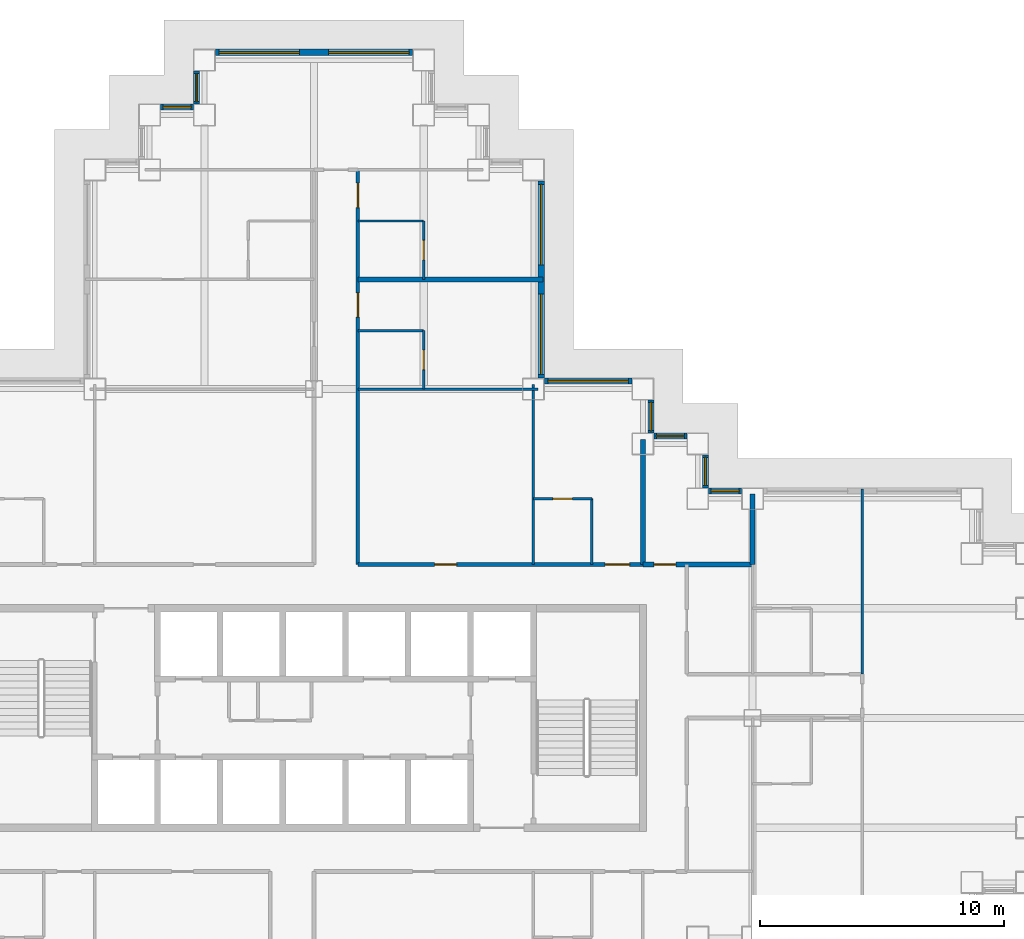
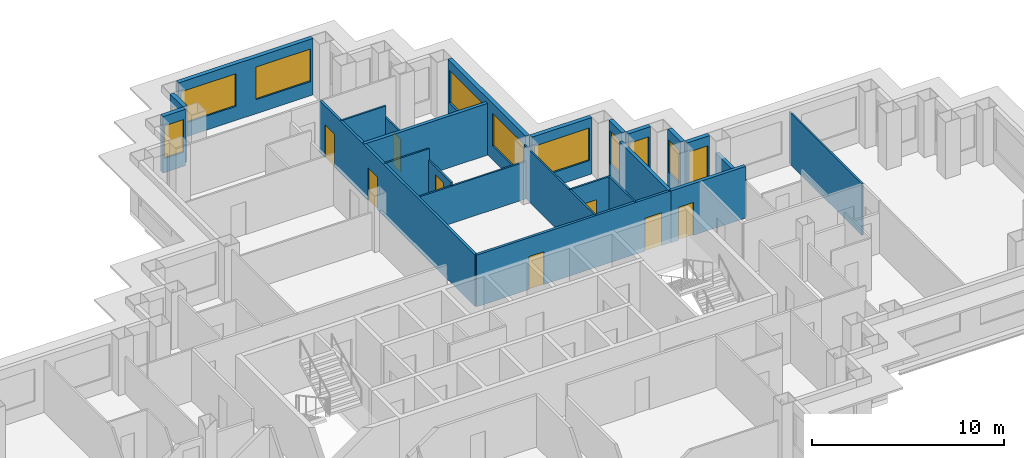
# One storey, part 8 of 14: 24 walls, 11 windows, 8 doors, 19 openings.
"""IFC4 building model written with IfcOpenShell, lengths in metres."""

from ifc_helpers import new_model, si_unit, direction, frame, frame_2d, origin, place, context, subcontext, project, spatial, rectangle, extrude, material, layer, layer_set, type_object, element, fill, save


model = new_model("IFC4")

# Units and contexts
model_context = context("Model", 3, precision=1e-05, world=origin(), true_north=direction((0.0, 1.0)))
body_context = subcontext(model_context, "Body", "Model", "MODEL_VIEW")
ifc_project = project(units=[si_unit("LENGTHUNIT", "METRE"), si_unit("AREAUNIT", "SQUARE_METRE"), si_unit("VOLUMEUNIT", "CUBIC_METRE"), si_unit("PLANEANGLEUNIT", "RADIAN"), si_unit("MASSUNIT", "GRAM", prefix="KILO")], contexts=[model_context])

# Site, building, storey
site_placement = place(None, origin())
site = spatial("IfcSite", under=ifc_project, at=site_placement, CompositionType="ELEMENT")
building_placement = place(site_placement, origin())
building = spatial("IfcBuilding", under=site, at=building_placement, Name="Caravel Reach Hotel and Residences", CompositionType="ELEMENT")
storey_placement = place(building_placement, frame((0.0, 0.0, 118.800048828125)))
storey = spatial("IfcBuildingStorey", under=building, at=storey_placement, Name="L29", CompositionType="ELEMENT", Elevation=118.800048828125)

# Wall, opening, door
ifc_material_1 = material(Name="Gypsum board on steel stud", Category="steel")
ifc_layer_1 = layer(ifc_material_1, 0.10009765625)
ifc_layer_set_1 = layer_set([ifc_layer_1], Name="Bathroom pod wall 100 mm")
wall_type_1 = type_object("IfcWallType", Name="Bathroom pod wall 100 mm", PredefinedType="PARTITIONING", material=ifc_layer_set_1)
wall_1_placement = place(storey_placement, frame((40.5, 36.0, 0.0), z_axis=(0.0, 0.0, 1.0), x_axis=(1.0, 0.0, 0.0)))
wall_1 = element("IfcWall", 1, at=wall_1_placement, inside=storey, type_object=wall_type_1, Name="L29 wall w076", PredefinedType="PARTITIONING", context=body_context, shape_type="SweptSolid", body=[
    extrude(rectangle(XDim=2.39990234375, YDim=0.10009765625, at=frame_2d((1.199951171875, 0.0))), origin(), (0.0, 0.0, 1.0), 3.300048828125),
])
opening_1_placement = place(wall_1_placement, frame((0.800048828125, 0.0, 0.0)))
opening_1 = element("IfcOpeningElement", 2, at=opening_1_placement, cuts=wall_1, Name="Opening D29-043", PredefinedType="OPENING", context=body_context, shape_type="SweptSolid", body=[
    extrude(rectangle(XDim=0.800048828125, YDim=2.10009765625, at=frame_2d((0.39990234375, 1.050048828125))), frame((0.0, 0.06005859375, 0.0), z_axis=(0.0, -1.0, 0.0), x_axis=(1.0, 0.0, 0.0)), (0.0, 0.0, 1.0), 0.1201171875),
])
ifc_material_2 = material(Name="Timber and steel door leaf", Category="steel")
door_type_1 = type_object("IfcDoorType", Name="Bathroom door 800 x 2100", OperationType="SINGLE_SWING_LEFT", PredefinedType="DOOR", material=ifc_material_2)
door_1_placement = place(opening_1_placement, origin())
door_1 = element("IfcDoor", 3, at=door_1_placement, inside=storey, type_object=door_type_1, Name="door D29-043", OperationType="SINGLE_SWING_LEFT", OverallHeight=2.10009765625, OverallWidth=0.800048828125, PredefinedType="DOOR", context=body_context, shape_type="SweptSolid", body=[
    extrude(rectangle(XDim=0.800048828125, YDim=2.10009765625, at=frame_2d((0.39990234375, 1.050048828125))), frame((0.0, 0.02490234375, 0.0), z_axis=(0.0, -1.0, 0.0), x_axis=(1.0, 0.0, 0.0)), (0.0, 0.0, 1.0), 0.050048828125),
])
fill(opening_1, door_1)

# Walls
for number, where, z_axis, x_axis, name in (
    (4, (33.300048828125, 42.89990234375, 0.0), (0.0, 0.0, 1.0), (1.0, 0.0, 0.0), "L29 wall w077"),
    (5, (33.300048828125, 47.39990234375, 0.0), (0.0, 0.0, 1.0), (1.0, 0.0, 0.0), "L29 wall w078"),
):
    element("IfcWall", number, at=place(storey_placement, frame(where, z_axis=z_axis, x_axis=x_axis)), inside=storey, type_object=wall_type_1, Name=name, PredefinedType="PARTITIONING", context=body_context, shape_type="SweptSolid", body=[
        extrude(rectangle(XDim=2.699951171875, YDim=0.10009765625, at=frame_2d((1.35009765625, 0.0))), origin(), (0.0, 0.0, 1.0), 3.300048828125),
    ])

# Wall, opening, door
wall_2_placement = place(storey_placement, frame((36.0, 40.5, 0.0), z_axis=(0.0, 0.0, 1.0), x_axis=(0.0, 1.0, 0.0)))
wall_2 = element("IfcWall", 6, at=wall_2_placement, inside=storey, type_object=wall_type_1, Name="L29 wall w088", PredefinedType="PARTITIONING", context=body_context, shape_type="SweptSolid", body=[
    extrude(rectangle(XDim=2.39990234375, YDim=0.10009765625, at=frame_2d((1.199951171875, 0.0))), origin(), (0.0, 0.0, 1.0), 2.579833984375),
])
opening_2_placement = place(wall_2_placement, frame((0.800048828125, 0.0, 0.0)))
opening_2 = element("IfcOpeningElement", 7, at=opening_2_placement, cuts=wall_2, Name="Opening D29-028", PredefinedType="OPENING", context=body_context, shape_type="SweptSolid", body=[
    extrude(rectangle(XDim=0.800048828125, YDim=2.10009765625, at=frame_2d((0.39990234375, 1.050048828125))), frame((0.0, 0.06005859375, 0.0), z_axis=(0.0, -1.0, 0.0), x_axis=(1.0, 0.0, 0.0)), (0.0, 0.0, 1.0), 0.1201171875),
])
door_2_placement = place(opening_2_placement, origin())
door_2 = element("IfcDoor", 8, at=door_2_placement, inside=storey, type_object=door_type_1, Name="door D29-028", OperationType="SINGLE_SWING_LEFT", OverallHeight=2.10009765625, OverallWidth=0.800048828125, PredefinedType="DOOR", context=body_context, shape_type="SweptSolid", body=[
    extrude(rectangle(XDim=0.800048828125, YDim=2.10009765625, at=frame_2d((0.39990234375, 1.050048828125))), frame((0.0, 0.02490234375, 0.0), z_axis=(0.0, -1.0, 0.0), x_axis=(1.0, 0.0, 0.0)), (0.0, 0.0, 1.0), 0.050048828125),
])
fill(opening_2, door_2)

wall_3_placement = place(storey_placement, frame((36.0, 45.0, 0.0), z_axis=(0.0, 0.0, 1.0), x_axis=(0.0, 1.0, 0.0)))
wall_3 = element("IfcWall", 9, at=wall_3_placement, inside=storey, type_object=wall_type_1, Name="L29 wall w089", PredefinedType="PARTITIONING", context=body_context, shape_type="SweptSolid", body=[
    extrude(rectangle(XDim=2.39990234375, YDim=0.10009765625, at=frame_2d((1.199951171875, 0.0))), origin(), (0.0, 0.0, 1.0), 2.579833984375),
])
opening_3_placement = place(wall_3_placement, frame((0.800048828125, 0.0, 0.0)))
opening_3 = element("IfcOpeningElement", 10, at=opening_3_placement, cuts=wall_3, Name="Opening D29-030", PredefinedType="OPENING", context=body_context, shape_type="SweptSolid", body=[
    extrude(rectangle(XDim=0.800048828125, YDim=2.10009765625, at=frame_2d((0.39990234375, 1.050048828125))), frame((0.0, 0.06005859375, 0.0), z_axis=(0.0, -1.0, 0.0), x_axis=(1.0, 0.0, 0.0)), (0.0, 0.0, 1.0), 0.1201171875),
])
door_3_placement = place(opening_3_placement, origin())
door_3 = element("IfcDoor", 11, at=door_3_placement, inside=storey, type_object=door_type_1, Name="door D29-030", OperationType="SINGLE_SWING_RIGHT", OverallHeight=2.10009765625, OverallWidth=0.800048828125, PredefinedType="DOOR", context=body_context, shape_type="SweptSolid", body=[
    extrude(rectangle(XDim=0.800048828125, YDim=2.10009765625, at=frame_2d((0.39990234375, 1.050048828125))), frame((0.0, 0.02490234375, 0.0), z_axis=(0.0, -1.0, 0.0), x_axis=(1.0, 0.0, 0.0)), (0.0, 0.0, 1.0), 0.050048828125),
])
fill(opening_3, door_3)

# Wall
wall_4_placement = place(storey_placement, frame((42.89990234375, 33.300048828125, 0.0), z_axis=(0.0, 0.0, 1.0), x_axis=(0.0, 1.0, 0.0)))
element("IfcWall", 12, at=wall_4_placement, inside=storey, type_object=wall_type_1, Name="L29 wall w090", PredefinedType="PARTITIONING", context=body_context, shape_type="SweptSolid", body=[
    extrude(rectangle(XDim=2.699951171875, YDim=0.10009765625, at=frame_2d((1.35009765625, 0.0))), origin(), (0.0, 0.0, 1.0), 3.300048828125),
])

# Wall, opening, door
ifc_material_3 = material(Name="Autoclaved aerated block wall")
ifc_layer_2 = layer(ifc_material_3, 0.199951171875)
ifc_layer_set_2 = layer_set([ifc_layer_2], Name="Compartment wall 200 mm EI 120")
wall_type_2 = type_object("IfcWallType", Name="Compartment wall 200 mm EI 120", PredefinedType="PARTITIONING", material=ifc_layer_set_2)
wall_5_placement = place(storey_placement, frame((45.0, 33.300048828125, 0.0), z_axis=(0.0, 0.0, 1.0), x_axis=(1.0, 0.0, 0.0)))
wall_5 = element("IfcWall", 13, at=wall_5_placement, inside=storey, type_object=wall_type_2, Name="L29 wall w094", PredefinedType="PARTITIONING", context=body_context, shape_type="SweptSolid", body=[
    extrude(rectangle(XDim=4.5, YDim=0.199951171875, at=frame_2d((2.25, 0.0))), origin(), (0.0, 0.0, 1.0), 3.300048828125),
])
opening_4_placement = place(wall_5_placement, frame((0.449951171875, 0.0, 0.0)))
opening_4 = element("IfcOpeningElement", 14, at=opening_4_placement, cuts=wall_5, Name="Opening D29-044", PredefinedType="OPENING", context=body_context, shape_type="SweptSolid", body=[
    extrude(rectangle(XDim=0.89990234375, YDim=2.10009765625, at=frame_2d((0.449951171875, 1.050048828125))), frame((0.0, 0.10986328125, 0.0), z_axis=(0.0, -1.0, 0.0), x_axis=(1.0, 0.0, 0.0)), (0.0, 0.0, 1.0), 0.219970703125),
])
ifc_material_4 = material(Name="Steel fire door leaf", Category="steel")
door_type_2 = type_object("IfcDoorType", Name="Riser door 900 x 2100 EI 60", OperationType="SINGLE_SWING_LEFT", PredefinedType="DOOR", material=ifc_material_4)
door_4_placement = place(opening_4_placement, origin())
door_4 = element("IfcDoor", 15, at=door_4_placement, inside=storey, type_object=door_type_2, Name="door D29-044", OperationType="SINGLE_SWING_RIGHT", OverallHeight=2.10009765625, OverallWidth=0.89990234375, PredefinedType="DOOR", context=body_context, shape_type="SweptSolid", body=[
    extrude(rectangle(XDim=0.89990234375, YDim=2.10009765625, at=frame_2d((0.449951171875, 1.050048828125))), frame((0.0, 0.02490234375, 0.0), z_axis=(0.0, -1.0, 0.0), x_axis=(1.0, 0.0, 0.0)), (0.0, 0.0, 1.0), 0.050048828125),
])
fill(opening_4, door_4)

# Walls
wall_6_placement = place(storey_placement, frame((45.0, 33.300048828125, 0.0), z_axis=(0.0, 0.0, 1.0), x_axis=(0.0, 1.0, 0.0)))
element("IfcWall", 16, at=wall_6_placement, inside=storey, type_object=wall_type_2, Name="L29 wall w096", PredefinedType="PARTITIONING", context=body_context, shape_type="SweptSolid", body=[
    extrude(rectangle(XDim=5.139892578125, YDim=0.199951171875, at=frame_2d((2.56982421875, 0.0))), origin(), (0.0, 0.0, 1.0), 3.300048828125),
])
wall_7_placement = place(storey_placement, frame((49.5, 33.300048828125, 0.0), z_axis=(0.0, 0.0, 1.0), x_axis=(0.0, 1.0, 0.0)))
element("IfcWall", 17, at=wall_7_placement, inside=storey, type_object=wall_type_2, Name="L29 wall w097", PredefinedType="PARTITIONING", context=body_context, shape_type="SweptSolid", body=[
    extrude(rectangle(XDim=2.889892578125, YDim=0.199951171875, at=frame_2d((1.44482421875, 0.0))), origin(), (0.0, 0.0, 1.0), 2.3798828125),
])

# Wall, openings, doors
ifc_material_5 = material(Name="Gypsum board on steel stud, fire-rated", Category="steel")
ifc_layer_3 = layer(ifc_material_5, 0.14990234375)
ifc_layer_set_3 = layer_set([ifc_layer_3], Name="Corridor wall 150 mm EI 60")
wall_type_3 = type_object("IfcWallType", Name="Corridor wall 150 mm EI 60", PredefinedType="PARTITIONING", material=ifc_layer_set_3)
wall_8_placement = place(storey_placement, frame((33.300048828125, 33.300048828125, 0.0), z_axis=(0.0, 0.0, 1.0), x_axis=(1.0, 0.0, 0.0)))
wall_8 = element("IfcWall", 18, at=wall_8_placement, inside=storey, type_object=wall_type_3, Name="L29 wall w017", PredefinedType="PARTITIONING", context=body_context, shape_type="SweptSolid", body=[
    extrude(rectangle(XDim=11.699951171875, YDim=0.14990234375, at=frame_2d((5.85009765625, 0.0))), origin(), (0.0, 0.0, 1.0), 3.300048828125),
])
opening_5_placement = place(wall_8_placement, frame((10.14990234375, 0.0, 0.0)))
opening_5 = element("IfcOpeningElement", 19, at=opening_5_placement, cuts=wall_8, Name="Opening D29-042", PredefinedType="OPENING", context=body_context, shape_type="SweptSolid", body=[
    extrude(rectangle(XDim=1.0, YDim=2.10009765625, at=frame_2d((0.5, 1.050048828125))), frame((0.0, 0.0849609375, 0.0), z_axis=(0.0, -1.0, 0.0), x_axis=(1.0, 0.0, 0.0)), (0.0, 0.0, 1.0), 0.169921875),
])
opening_6_placement = place(wall_8_placement, frame((3.14990234375, 0.0, 0.0)))
opening_6 = element("IfcOpeningElement", 20, at=opening_6_placement, cuts=wall_8, Name="Opening D29-051", PredefinedType="OPENING", context=body_context, shape_type="SweptSolid", body=[
    extrude(rectangle(XDim=0.89990234375, YDim=2.10009765625, at=frame_2d((0.449951171875, 1.050048828125))), frame((0.0, 0.0849609375, 0.0), z_axis=(0.0, -1.0, 0.0), x_axis=(1.0, 0.0, 0.0)), (0.0, 0.0, 1.0), 0.169921875),
])
ifc_material_6 = material(Name="Timber and steel door leaf", Category="steel")
door_type_3 = type_object("IfcDoorType", Name="Door 900 x 2100 timber", OperationType="SINGLE_SWING_LEFT", PredefinedType="DOOR", material=ifc_material_6)
door_5_placement = place(opening_6_placement, origin())
door_5 = element("IfcDoor", 21, at=door_5_placement, inside=storey, type_object=door_type_3, Name="door D29-051", OperationType="SINGLE_SWING_RIGHT", OverallHeight=2.10009765625, OverallWidth=0.89990234375, PredefinedType="DOOR", context=body_context, shape_type="SweptSolid", body=[
    extrude(rectangle(XDim=0.89990234375, YDim=2.10009765625, at=frame_2d((0.449951171875, 1.050048828125))), frame((0.0, 0.02490234375, 0.0), z_axis=(0.0, -1.0, 0.0), x_axis=(1.0, 0.0, 0.0)), (0.0, 0.0, 1.0), 0.050048828125),
])
fill(opening_6, door_5)
ifc_material_7 = material(Name="Steel fire door leaf", Category="steel")
door_type_4 = type_object("IfcDoorType", Name="Guest room door 1000 x 2100 EI 30", OperationType="SINGLE_SWING_LEFT", PredefinedType="DOOR", material=ifc_material_7)
door_6_placement = place(opening_5_placement, origin())
door_6 = element("IfcDoor", 22, at=door_6_placement, inside=storey, type_object=door_type_4, Name="door D29-042", OperationType="SINGLE_SWING_RIGHT", OverallHeight=2.10009765625, OverallWidth=1.0, PredefinedType="DOOR", context=body_context, shape_type="SweptSolid", body=[
    extrude(rectangle(XDim=1.0, YDim=2.10009765625, at=frame_2d((0.5, 1.050048828125))), frame((0.0, 0.02490234375, 0.0), z_axis=(0.0, -1.0, 0.0), x_axis=(1.0, 0.0, 0.0)), (0.0, 0.0, 1.0), 0.050048828125),
])
fill(opening_5, door_6)

wall_9_placement = place(storey_placement, frame((33.300048828125, 33.300048828125, 0.0), z_axis=(0.0, 0.0, 1.0), x_axis=(0.0, 1.0, 0.0)))
wall_9 = element("IfcWall", 23, at=wall_9_placement, inside=storey, type_object=wall_type_3, Name="L29 wall w032", PredefinedType="PARTITIONING", context=body_context, shape_type="SweptSolid", body=[
    extrude(rectangle(XDim=16.199951171875, YDim=0.14990234375, at=frame_2d((8.10009765625, 0.0))), origin(), (0.0, 0.0, 1.0), 3.300048828125),
])
opening_7_placement = place(wall_9_placement, frame((10.14990234375, 0.0, 0.0)))
opening_7 = element("IfcOpeningElement", 24, at=opening_7_placement, cuts=wall_9, Name="Opening D29-027", PredefinedType="OPENING", context=body_context, shape_type="SweptSolid", body=[
    extrude(rectangle(XDim=1.0, YDim=2.10009765625, at=frame_2d((0.5, 1.050048828125))), frame((0.0, 0.0849609375, 0.0), z_axis=(0.0, -1.0, 0.0), x_axis=(1.0, 0.0, 0.0)), (0.0, 0.0, 1.0), 0.169921875),
])
opening_8_placement = place(wall_9_placement, frame((14.64990234375, 0.0, 0.0)))
opening_8 = element("IfcOpeningElement", 25, at=opening_8_placement, cuts=wall_9, Name="Opening D29-029", PredefinedType="OPENING", context=body_context, shape_type="SweptSolid", body=[
    extrude(rectangle(XDim=1.0, YDim=2.10009765625, at=frame_2d((0.5, 1.050048828125))), frame((0.0, 0.0849609375, 0.0), z_axis=(0.0, -1.0, 0.0), x_axis=(1.0, 0.0, 0.0)), (0.0, 0.0, 1.0), 0.169921875),
])
door_7_placement = place(opening_7_placement, origin())
door_7 = element("IfcDoor", 26, at=door_7_placement, inside=storey, type_object=door_type_4, Name="door D29-027", OperationType="SINGLE_SWING_RIGHT", OverallHeight=2.10009765625, OverallWidth=1.0, PredefinedType="DOOR", context=body_context, shape_type="SweptSolid", body=[
    extrude(rectangle(XDim=1.0, YDim=2.10009765625, at=frame_2d((0.5, 1.050048828125))), frame((0.0, 0.02490234375, 0.0), z_axis=(0.0, -1.0, 0.0), x_axis=(1.0, 0.0, 0.0)), (0.0, 0.0, 1.0), 0.050048828125),
])
fill(opening_7, door_7)
door_8_placement = place(opening_8_placement, origin())
door_8 = element("IfcDoor", 27, at=door_8_placement, inside=storey, type_object=door_type_4, Name="door D29-029", OperationType="SINGLE_SWING_RIGHT", OverallHeight=2.10009765625, OverallWidth=1.0, PredefinedType="DOOR", context=body_context, shape_type="SweptSolid", body=[
    extrude(rectangle(XDim=1.0, YDim=2.10009765625, at=frame_2d((0.5, 1.050048828125))), frame((0.0, 0.02490234375, 0.0), z_axis=(0.0, -1.0, 0.0), x_axis=(1.0, 0.0, 0.0)), (0.0, 0.0, 1.0), 0.050048828125),
])
fill(opening_8, door_8)

# Wall, opening, window
ifc_material_8 = material(Name="Insulated rainscreen wall, aluminium cladding", Category="aluminium")
ifc_layer_4 = layer(ifc_material_8, 0.25)
ifc_layer_set_4 = layer_set([ifc_layer_4], Name="EW1 Tower rainscreen wall")
wall_type_4 = type_object("IfcWallType", Name="EW1 Tower rainscreen wall", PredefinedType="SOLIDWALL", material=ifc_layer_set_4)
wall_10_placement = place(storey_placement, frame((49.050048828125, 36.324951171875, 0.0), z_axis=(0.0, 0.0, 1.0), x_axis=(-1.0, 0.0, 0.0)))
wall_10 = element("IfcWall", 28, at=wall_10_placement, inside=storey, type_object=wall_type_4, Name="External wall L29 N25.2", PredefinedType="SOLIDWALL", context=body_context, shape_type="SweptSolid", body=[
    extrude(rectangle(XDim=1.35009765625, YDim=0.25, at=frame_2d((0.675048828125, 0.0))), origin(), (0.0, 0.0, 1.0), 3.599853515625),
])
opening_9_placement = place(wall_10_placement, frame((0.10009765625, 0.0, 0.89990234375)))
opening_9 = element("IfcOpeningElement", 29, at=opening_9_placement, cuts=wall_10, Name="Opening WN8", PredefinedType="OPENING", context=body_context, shape_type="SweptSolid", body=[
    extrude(rectangle(XDim=1.14990234375, YDim=2.080078125, at=frame_2d((0.574951171875, 1.0400390625))), frame((0.0, 0.135009765625, 0.0), z_axis=(0.0, -1.0, 0.0), x_axis=(1.0, 0.0, 0.0)), (0.0, 0.0, 1.0), 0.27001953125),
])
ifc_material_9 = material(Name="Dark low-e glazing in black aluminium frame", Category="aluminium")
window_type_1 = type_object("IfcWindowType", Name="Hotel suite corner window 1150 x 2080", PartitioningType="SINGLE_PANEL", PredefinedType="WINDOW", material=ifc_material_9)
window_1_placement = place(opening_9_placement, origin())
window_1 = element("IfcWindow", 30, at=window_1_placement, inside=storey, type_object=window_type_1, Name="Window L29 N25.2.1", OverallHeight=2.080078125, OverallWidth=1.14990234375, PartitioningType="SINGLE_PANEL", PredefinedType="WINDOW", context=body_context, shape_type="SweptSolid", body=[
    extrude(rectangle(XDim=1.14990234375, YDim=2.080078125, at=frame_2d((0.574951171875, 1.0400390625))), frame((0.0, 0.030029296875, 0.0), z_axis=(0.0, -1.0, 0.0), x_axis=(1.0, 0.0, 0.0)), (0.0, 0.0, 1.0), 0.06005859375),
])
fill(opening_9, window_1)

wall_11_placement = place(storey_placement, frame((47.574951171875, 36.449951171875, 0.0), z_axis=(0.0, 0.0, 1.0), x_axis=(0.0, 1.0, 0.0)))
wall_11 = element("IfcWall", 31, at=wall_11_placement, inside=storey, type_object=wall_type_4, Name="External wall L29 E26.1", PredefinedType="SOLIDWALL", context=body_context, shape_type="SweptSolid", body=[
    extrude(rectangle(XDim=1.35009765625, YDim=0.25, at=frame_2d((0.675048828125, 0.0))), origin(), (0.0, 0.0, 1.0), 3.599853515625),
])
opening_10_placement = place(wall_11_placement, frame((0.10009765625, 0.0, 0.89990234375)))
opening_10 = element("IfcOpeningElement", 32, at=opening_10_placement, cuts=wall_11, Name="Opening WN8", PredefinedType="OPENING", context=body_context, shape_type="SweptSolid", body=[
    extrude(rectangle(XDim=1.14990234375, YDim=2.080078125, at=frame_2d((0.574951171875, 1.0400390625))), frame((0.0, 0.135009765625, 0.0), z_axis=(0.0, -1.0, 0.0), x_axis=(1.0, 0.0, 0.0)), (0.0, 0.0, 1.0), 0.27001953125),
])
window_2_placement = place(opening_10_placement, origin())
window_2 = element("IfcWindow", 33, at=window_2_placement, inside=storey, type_object=window_type_1, Name="Window L29 E26.1.1", OverallHeight=2.080078125, OverallWidth=1.14990234375, PartitioningType="SINGLE_PANEL", PredefinedType="WINDOW", context=body_context, shape_type="SweptSolid", body=[
    extrude(rectangle(XDim=1.14990234375, YDim=2.080078125, at=frame_2d((0.574951171875, 1.0400390625))), frame((0.0, 0.030029296875, 0.0), z_axis=(0.0, -1.0, 0.0), x_axis=(1.0, 0.0, 0.0)), (0.0, 0.0, 1.0), 0.06005859375),
])
fill(opening_10, window_2)

wall_12_placement = place(storey_placement, frame((46.800048828125, 38.574951171875, 0.0), z_axis=(0.0, 0.0, 1.0), x_axis=(-1.0, 0.0, 0.0)))
wall_12 = element("IfcWall", 34, at=wall_12_placement, inside=storey, type_object=wall_type_4, Name="External wall L29 N27.1", PredefinedType="SOLIDWALL", context=body_context, shape_type="SweptSolid", body=[
    extrude(rectangle(XDim=1.35009765625, YDim=0.25, at=frame_2d((0.675048828125, 0.0))), origin(), (0.0, 0.0, 1.0), 3.599853515625),
])
opening_11_placement = place(wall_12_placement, frame((0.10009765625, 0.0, 0.89990234375)))
opening_11 = element("IfcOpeningElement", 35, at=opening_11_placement, cuts=wall_12, Name="Opening WN8", PredefinedType="OPENING", context=body_context, shape_type="SweptSolid", body=[
    extrude(rectangle(XDim=1.14990234375, YDim=2.080078125, at=frame_2d((0.574951171875, 1.0400390625))), frame((0.0, 0.135009765625, 0.0), z_axis=(0.0, -1.0, 0.0), x_axis=(1.0, 0.0, 0.0)), (0.0, 0.0, 1.0), 0.27001953125),
])
window_3_placement = place(opening_11_placement, origin())
window_3 = element("IfcWindow", 36, at=window_3_placement, inside=storey, type_object=window_type_1, Name="Window L29 N27.1.1", OverallHeight=2.080078125, OverallWidth=1.14990234375, PartitioningType="SINGLE_PANEL", PredefinedType="WINDOW", context=body_context, shape_type="SweptSolid", body=[
    extrude(rectangle(XDim=1.14990234375, YDim=2.080078125, at=frame_2d((0.574951171875, 1.0400390625))), frame((0.0, 0.030029296875, 0.0), z_axis=(0.0, -1.0, 0.0), x_axis=(1.0, 0.0, 0.0)), (0.0, 0.0, 1.0), 0.06005859375),
])
fill(opening_11, window_3)

wall_13_placement = place(storey_placement, frame((45.324951171875, 38.699951171875, 0.0), z_axis=(0.0, 0.0, 1.0), x_axis=(0.0, 1.0, 0.0)))
wall_13 = element("IfcWall", 37, at=wall_13_placement, inside=storey, type_object=wall_type_4, Name="External wall L29 E28.1", PredefinedType="SOLIDWALL", context=body_context, shape_type="SweptSolid", body=[
    extrude(rectangle(XDim=1.35009765625, YDim=0.25, at=frame_2d((0.675048828125, 0.0))), origin(), (0.0, 0.0, 1.0), 3.599853515625),
])
opening_12_placement = place(wall_13_placement, frame((0.10009765625, 0.0, 0.89990234375)))
opening_12 = element("IfcOpeningElement", 38, at=opening_12_placement, cuts=wall_13, Name="Opening WN8", PredefinedType="OPENING", context=body_context, shape_type="SweptSolid", body=[
    extrude(rectangle(XDim=1.14990234375, YDim=2.080078125, at=frame_2d((0.574951171875, 1.0400390625))), frame((0.0, 0.135009765625, 0.0), z_axis=(0.0, -1.0, 0.0), x_axis=(1.0, 0.0, 0.0)), (0.0, 0.0, 1.0), 0.27001953125),
])
window_4_placement = place(opening_12_placement, origin())
window_4 = element("IfcWindow", 39, at=window_4_placement, inside=storey, type_object=window_type_1, Name="Window L29 E28.1.1", OverallHeight=2.080078125, OverallWidth=1.14990234375, PartitioningType="SINGLE_PANEL", PredefinedType="WINDOW", context=body_context, shape_type="SweptSolid", body=[
    extrude(rectangle(XDim=1.14990234375, YDim=2.080078125, at=frame_2d((0.574951171875, 1.0400390625))), frame((0.0, 0.030029296875, 0.0), z_axis=(0.0, -1.0, 0.0), x_axis=(1.0, 0.0, 0.0)), (0.0, 0.0, 1.0), 0.06005859375),
])
fill(opening_12, window_4)

wall_14_placement = place(storey_placement, frame((44.550048828125, 40.824951171875, 0.0), z_axis=(0.0, 0.0, 1.0), x_axis=(-1.0, 0.0, 0.0)))
wall_14 = element("IfcWall", 40, at=wall_14_placement, inside=storey, type_object=wall_type_4, Name="External wall L29 N29.1", PredefinedType="SOLIDWALL", context=body_context, shape_type="SweptSolid", body=[
    extrude(rectangle(XDim=3.60009765625, YDim=0.25, at=frame_2d((1.800048828125, 0.0))), origin(), (0.0, 0.0, 1.0), 3.599853515625),
])
opening_13_placement = place(wall_14_placement, frame((0.14990234375, 0.0, 0.89990234375)))
opening_13 = element("IfcOpeningElement", 41, at=opening_13_placement, cuts=wall_14, Name="Opening WN4", PredefinedType="OPENING", context=body_context, shape_type="SweptSolid", body=[
    extrude(rectangle(XDim=3.300048828125, YDim=2.080078125, at=frame_2d((1.64990234375, 1.0400390625))), frame((0.0, 0.135009765625, 0.0), z_axis=(0.0, -1.0, 0.0), x_axis=(1.0, 0.0, 0.0)), (0.0, 0.0, 1.0), 0.27001953125),
])
ifc_material_10 = material(Name="Dark low-e glazing in black aluminium frame", Category="aluminium")
window_type_2 = type_object("IfcWindowType", Name="Hotel guest room window 3300 x 2080", PartitioningType="SINGLE_PANEL", PredefinedType="WINDOW", material=ifc_material_10)
window_5_placement = place(opening_13_placement, origin())
window_5 = element("IfcWindow", 42, at=window_5_placement, inside=storey, type_object=window_type_2, Name="Window L29 N29.1.1", OverallHeight=2.080078125, OverallWidth=3.300048828125, PartitioningType="SINGLE_PANEL", PredefinedType="WINDOW", context=body_context, shape_type="SweptSolid", body=[
    extrude(rectangle(XDim=3.300048828125, YDim=2.080078125, at=frame_2d((1.64990234375, 1.0400390625))), frame((0.0, 0.030029296875, 0.0), z_axis=(0.0, -1.0, 0.0), x_axis=(1.0, 0.0, 0.0)), (0.0, 0.0, 1.0), 0.06005859375),
])
fill(opening_13, window_5)

# Wall, openings, windows
wall_15_placement = place(storey_placement, frame((40.824951171875, 40.949951171875, 0.0), z_axis=(0.0, 0.0, 1.0), x_axis=(0.0, 1.0, 0.0)))
wall_15 = element("IfcWall", 43, at=wall_15_placement, inside=storey, type_object=wall_type_4, Name="External wall L29 E30.1", PredefinedType="SOLIDWALL", context=body_context, shape_type="SweptSolid", body=[
    extrude(rectangle(XDim=8.10009765625, YDim=0.25, at=frame_2d((4.050048828125, 0.0))), origin(), (0.0, 0.0, 1.0), 3.599853515625),
])
opening_14_placement = place(wall_15_placement, frame((0.14990234375, 0.0, 0.89990234375)))
opening_14 = element("IfcOpeningElement", 44, at=opening_14_placement, cuts=wall_15, Name="Opening WN4", PredefinedType="OPENING", context=body_context, shape_type="SweptSolid", body=[
    extrude(rectangle(XDim=3.300048828125, YDim=2.080078125, at=frame_2d((1.64990234375, 1.0400390625))), frame((0.0, 0.135009765625, 0.0), z_axis=(0.0, -1.0, 0.0), x_axis=(1.0, 0.0, 0.0)), (0.0, 0.0, 1.0), 0.27001953125),
])
opening_15_placement = place(wall_15_placement, frame((4.64990234375, 0.0, 0.89990234375)))
opening_15 = element("IfcOpeningElement", 45, at=opening_15_placement, cuts=wall_15, Name="Opening WN4", PredefinedType="OPENING", context=body_context, shape_type="SweptSolid", body=[
    extrude(rectangle(XDim=3.300048828125, YDim=2.080078125, at=frame_2d((1.64990234375, 1.0400390625))), frame((0.0, 0.135009765625, 0.0), z_axis=(0.0, -1.0, 0.0), x_axis=(1.0, 0.0, 0.0)), (0.0, 0.0, 1.0), 0.27001953125),
])
window_6_placement = place(opening_14_placement, origin())
window_6 = element("IfcWindow", 46, at=window_6_placement, inside=storey, type_object=window_type_2, Name="Window L29 E30.1.1", OverallHeight=2.080078125, OverallWidth=3.300048828125, PartitioningType="SINGLE_PANEL", PredefinedType="WINDOW", context=body_context, shape_type="SweptSolid", body=[
    extrude(rectangle(XDim=3.300048828125, YDim=2.080078125, at=frame_2d((1.64990234375, 1.0400390625))), frame((0.0, 0.030029296875, 0.0), z_axis=(0.0, -1.0, 0.0), x_axis=(1.0, 0.0, 0.0)), (0.0, 0.0, 1.0), 0.06005859375),
])
fill(opening_14, window_6)
window_7_placement = place(opening_15_placement, origin())
window_7 = element("IfcWindow", 47, at=window_7_placement, inside=storey, type_object=window_type_2, Name="Window L29 E30.1.2", OverallHeight=2.080078125, OverallWidth=3.300048828125, PartitioningType="SINGLE_PANEL", PredefinedType="WINDOW", context=body_context, shape_type="SweptSolid", body=[
    extrude(rectangle(XDim=3.300048828125, YDim=2.080078125, at=frame_2d((1.64990234375, 1.0400390625))), frame((0.0, 0.030029296875, 0.0), z_axis=(0.0, -1.0, 0.0), x_axis=(1.0, 0.0, 0.0)), (0.0, 0.0, 1.0), 0.06005859375),
])
fill(opening_15, window_7)

wall_16_placement = place(storey_placement, frame((35.550048828125, 54.324951171875, 0.0), z_axis=(0.0, 0.0, 1.0), x_axis=(-1.0, 0.0, 0.0)))
wall_16 = element("IfcWall", 48, at=wall_16_placement, inside=storey, type_object=wall_type_4, Name="External wall L29 N35.1", PredefinedType="SOLIDWALL", context=body_context, shape_type="SweptSolid", body=[
    extrude(rectangle(XDim=8.10009765625, YDim=0.25, at=frame_2d((4.050048828125, 0.0))), origin(), (0.0, 0.0, 1.0), 3.599853515625),
])
opening_16_placement = place(wall_16_placement, frame((0.14990234375, 0.0, 0.89990234375)))
opening_16 = element("IfcOpeningElement", 49, at=opening_16_placement, cuts=wall_16, Name="Opening WN4", PredefinedType="OPENING", context=body_context, shape_type="SweptSolid", body=[
    extrude(rectangle(XDim=3.300048828125, YDim=2.080078125, at=frame_2d((1.64990234375, 1.0400390625))), frame((0.0, 0.135009765625, 0.0), z_axis=(0.0, -1.0, 0.0), x_axis=(1.0, 0.0, 0.0)), (0.0, 0.0, 1.0), 0.27001953125),
])
opening_17_placement = place(wall_16_placement, frame((4.64990234375, 0.0, 0.89990234375)))
opening_17 = element("IfcOpeningElement", 50, at=opening_17_placement, cuts=wall_16, Name="Opening WN4", PredefinedType="OPENING", context=body_context, shape_type="SweptSolid", body=[
    extrude(rectangle(XDim=3.300048828125, YDim=2.080078125, at=frame_2d((1.64990234375, 1.0400390625))), frame((0.0, 0.135009765625, 0.0), z_axis=(0.0, -1.0, 0.0), x_axis=(1.0, 0.0, 0.0)), (0.0, 0.0, 1.0), 0.27001953125),
])
window_8_placement = place(opening_16_placement, origin())
window_8 = element("IfcWindow", 51, at=window_8_placement, inside=storey, type_object=window_type_2, Name="Window L29 N35.1.1", OverallHeight=2.080078125, OverallWidth=3.300048828125, PartitioningType="SINGLE_PANEL", PredefinedType="WINDOW", context=body_context, shape_type="SweptSolid", body=[
    extrude(rectangle(XDim=3.300048828125, YDim=2.080078125, at=frame_2d((1.64990234375, 1.0400390625))), frame((0.0, 0.030029296875, 0.0), z_axis=(0.0, -1.0, 0.0), x_axis=(1.0, 0.0, 0.0)), (0.0, 0.0, 1.0), 0.06005859375),
])
fill(opening_16, window_8)
window_9_placement = place(opening_17_placement, origin())
window_9 = element("IfcWindow", 52, at=window_9_placement, inside=storey, type_object=window_type_2, Name="Window L29 N35.1.2", OverallHeight=2.080078125, OverallWidth=3.300048828125, PartitioningType="SINGLE_PANEL", PredefinedType="WINDOW", context=body_context, shape_type="SweptSolid", body=[
    extrude(rectangle(XDim=3.300048828125, YDim=2.080078125, at=frame_2d((1.64990234375, 1.0400390625))), frame((0.0, 0.030029296875, 0.0), z_axis=(0.0, -1.0, 0.0), x_axis=(1.0, 0.0, 0.0)), (0.0, 0.0, 1.0), 0.06005859375),
])
fill(opening_17, window_9)

# Wall, opening, window
wall_17_placement = place(storey_placement, frame((26.675048828125, 53.550048828125, 0.0), z_axis=(0.0, 0.0, 1.0), x_axis=(0.0, -1.0, 0.0)))
wall_17 = element("IfcWall", 53, at=wall_17_placement, inside=storey, type_object=wall_type_4, Name="External wall L29 W36.1", PredefinedType="SOLIDWALL", context=body_context, shape_type="SweptSolid", body=[
    extrude(rectangle(XDim=1.35009765625, YDim=0.25, at=frame_2d((0.675048828125, 0.0))), origin(), (0.0, 0.0, 1.0), 3.599853515625),
])
opening_18_placement = place(wall_17_placement, frame((0.10009765625, 0.0, 0.89990234375)))
opening_18 = element("IfcOpeningElement", 54, at=opening_18_placement, cuts=wall_17, Name="Opening WN8", PredefinedType="OPENING", context=body_context, shape_type="SweptSolid", body=[
    extrude(rectangle(XDim=1.14990234375, YDim=2.080078125, at=frame_2d((0.574951171875, 1.0400390625))), frame((0.0, 0.135009765625, 0.0), z_axis=(0.0, -1.0, 0.0), x_axis=(1.0, 0.0, 0.0)), (0.0, 0.0, 1.0), 0.27001953125),
])
window_10_placement = place(opening_18_placement, origin())
window_10 = element("IfcWindow", 55, at=window_10_placement, inside=storey, type_object=window_type_1, Name="Window L29 W36.1.1", OverallHeight=2.080078125, OverallWidth=1.14990234375, PartitioningType="SINGLE_PANEL", PredefinedType="WINDOW", context=body_context, shape_type="SweptSolid", body=[
    extrude(rectangle(XDim=1.14990234375, YDim=2.080078125, at=frame_2d((0.574951171875, 1.0400390625))), frame((0.0, 0.030029296875, 0.0), z_axis=(0.0, -1.0, 0.0), x_axis=(1.0, 0.0, 0.0)), (0.0, 0.0, 1.0), 0.06005859375),
])
fill(opening_18, window_10)

wall_18_placement = place(storey_placement, frame((26.550048828125, 52.074951171875, 0.0), z_axis=(0.0, 0.0, 1.0), x_axis=(-1.0, 0.0, 0.0)))
wall_18 = element("IfcWall", 56, at=wall_18_placement, inside=storey, type_object=wall_type_4, Name="External wall L29 N37.1", PredefinedType="SOLIDWALL", context=body_context, shape_type="SweptSolid", body=[
    extrude(rectangle(XDim=1.35009765625, YDim=0.25, at=frame_2d((0.675048828125, 0.0))), origin(), (0.0, 0.0, 1.0), 3.599853515625),
])
opening_19_placement = place(wall_18_placement, frame((0.10009765625, 0.0, 0.89990234375)))
opening_19 = element("IfcOpeningElement", 57, at=opening_19_placement, cuts=wall_18, Name="Opening WN8", PredefinedType="OPENING", context=body_context, shape_type="SweptSolid", body=[
    extrude(rectangle(XDim=1.14990234375, YDim=2.080078125, at=frame_2d((0.574951171875, 1.0400390625))), frame((0.0, 0.135009765625, 0.0), z_axis=(0.0, -1.0, 0.0), x_axis=(1.0, 0.0, 0.0)), (0.0, 0.0, 1.0), 0.27001953125),
])
window_11_placement = place(opening_19_placement, origin())
window_11 = element("IfcWindow", 58, at=window_11_placement, inside=storey, type_object=window_type_1, Name="Window L29 N37.1.1", OverallHeight=2.080078125, OverallWidth=1.14990234375, PartitioningType="SINGLE_PANEL", PredefinedType="WINDOW", context=body_context, shape_type="SweptSolid", body=[
    extrude(rectangle(XDim=1.14990234375, YDim=2.080078125, at=frame_2d((0.574951171875, 1.0400390625))), frame((0.0, 0.030029296875, 0.0), z_axis=(0.0, -1.0, 0.0), x_axis=(1.0, 0.0, 0.0)), (0.0, 0.0, 1.0), 0.06005859375),
])
fill(opening_19, window_11)

# Walls
ifc_material_11 = material(Name="Gypsum board on steel stud", Category="steel")
ifc_layer_5 = layer(ifc_material_11, 0.10009765625)
ifc_layer_set_5 = layer_set([ifc_layer_5], Name="Partition 100 mm")
wall_type_5 = type_object("IfcWallType", Name="Partition 100 mm", PredefinedType="PARTITIONING", material=ifc_layer_set_5)
wall_19_placement = place(storey_placement, frame((33.300048828125, 40.5, 0.0), z_axis=(0.0, 0.0, 1.0), x_axis=(1.0, 0.0, 0.0)))
element("IfcWall", 59, at=wall_19_placement, inside=storey, type_object=wall_type_5, Name="L29 wall w042", PredefinedType="PARTITIONING", context=body_context, shape_type="SweptSolid", body=[
    extrude(rectangle(XDim=7.389892578125, YDim=0.10009765625, at=frame_2d((3.69482421875, 0.0))), origin(), (0.0, 0.0, 1.0), 2.3798828125),
])
wall_20_placement = place(storey_placement, frame((40.5, 33.300048828125, 0.0), z_axis=(0.0, 0.0, 1.0), x_axis=(0.0, 1.0, 0.0)))
element("IfcWall", 60, at=wall_20_placement, inside=storey, type_object=wall_type_5, Name="L29 wall w055", PredefinedType="PARTITIONING", context=body_context, shape_type="SweptSolid", body=[
    extrude(rectangle(XDim=7.389892578125, YDim=0.10009765625, at=frame_2d((3.69482421875, 0.0))), origin(), (0.0, 0.0, 1.0), 3.300048828125),
])
wall_21_placement = place(storey_placement, frame((54.0, 28.800048828125, 0.0), z_axis=(0.0, 0.0, 1.0), x_axis=(0.0, 1.0, 0.0)))
element("IfcWall", 61, at=wall_21_placement, inside=storey, type_object=wall_type_5, Name="L29 wall w061", PredefinedType="PARTITIONING", context=body_context, shape_type="SweptSolid", body=[
    extrude(rectangle(XDim=7.58984375, YDim=0.10009765625, at=frame_2d((3.794921875, 0.0))), origin(), (0.0, 0.0, 1.0), 3.300048828125),
])
ifc_material_12 = material(Name="Autoclaved aerated block wall")
ifc_layer_6 = layer(ifc_material_12, 0.199951171875)
ifc_layer_set_6 = layer_set([ifc_layer_6], Name="Party wall 200 mm EI 60")
wall_type_6 = type_object("IfcWallType", Name="Party wall 200 mm EI 60", PredefinedType="PARTITIONING", material=ifc_layer_set_6)
wall_22_placement = place(storey_placement, frame((33.300048828125, 45.0, 0.0), z_axis=(0.0, 0.0, 1.0), x_axis=(1.0, 0.0, 0.0)))
element("IfcWall", 62, at=wall_22_placement, inside=storey, type_object=wall_type_6, Name="L29 wall w065", PredefinedType="PARTITIONING", context=body_context, shape_type="SweptSolid", body=[
    extrude(rectangle(XDim=7.58984375, YDim=0.199951171875, at=frame_2d((3.794921875, 0.0))), origin(), (0.0, 0.0, 1.0), 3.300048828125),
])

save(model, "model.ifc")
